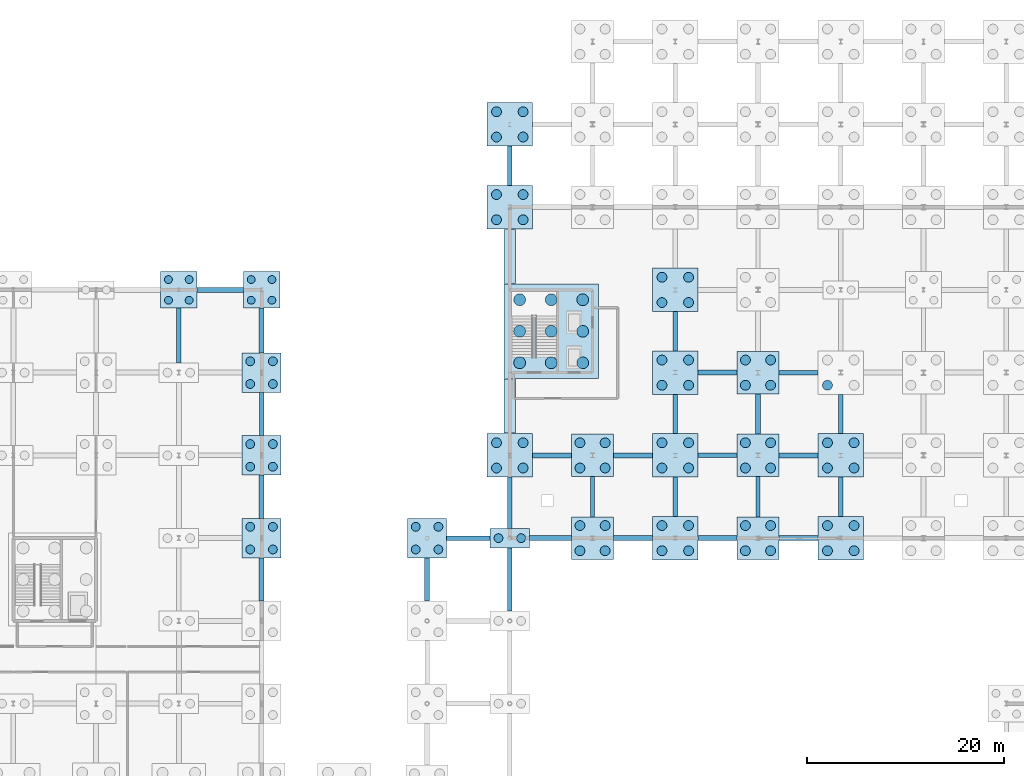
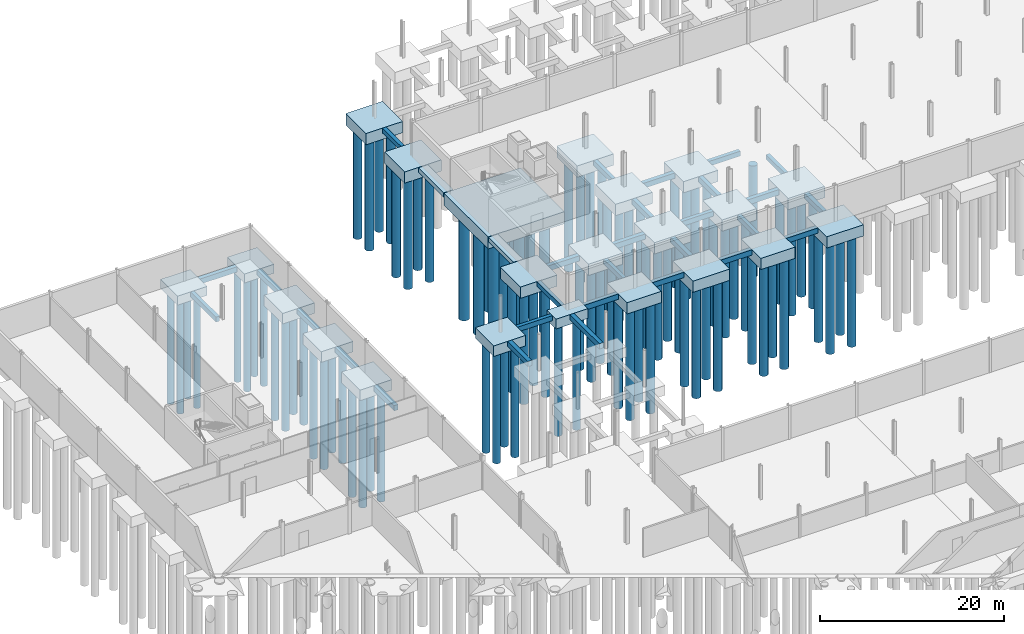
# One storey, part 6 of 51: 92 piles, 53 footings.
"""IFC4 building model written with IfcOpenShell, lengths in metres."""

from ifc_helpers import new_model, si_unit, direction, frame, origin, origin_2d, place, context, subcontext, project, spatial, polyline, rectangle, circle, outline, extrude, material, material_profile, profile_set, type_object, element, save


model = new_model("IFC4")

# Units and contexts
model_context = context("Model", 3, precision=1e-05, world=origin(), true_north=direction((0.0, 1.0)))
body_context = subcontext(model_context, "Body", "Model", "MODEL_VIEW")
ifc_project = project(units=[si_unit("LENGTHUNIT", "METRE"), si_unit("AREAUNIT", "SQUARE_METRE"), si_unit("VOLUMEUNIT", "CUBIC_METRE"), si_unit("PLANEANGLEUNIT", "RADIAN"), si_unit("MASSUNIT", "GRAM", prefix="KILO")], contexts=[model_context])

# Site, building, storey
site_placement = place(None, origin())
site = spatial("IfcSite", under=ifc_project, at=site_placement, CompositionType="ELEMENT")
building_placement = place(site_placement, origin())
building = spatial("IfcBuilding", under=site, at=building_placement, Name="Qalvenar Corner Mobility Hub", CompositionType="ELEMENT")
storey_placement = place(building_placement, frame((0.0, 0.0, -4.5)))
storey = spatial("IfcBuildingStorey", under=building, at=storey_placement, Name="B1", CompositionType="ELEMENT", Elevation=-4.5)

# Footings
ifc_material = material(Name="Concrete C40/50", Category="concrete")
footing_type_1 = type_object("IfcFootingType", Name="PC-28X28X12", PredefinedType="PILE_CAP", material=ifc_material)
for number, where, z_axis, x_axis, name in (
    (1, (25.199951171875, 92.39990234375, -1.5498046875), (0.0, 0.0, 1.0), (1.0, 0.0, 0.0), "Pile Cap G4-11"),
    (2, (33.60009765625, 92.39990234375, -1.5498046875), (0.0, 0.0, 1.0), (1.0, 0.0, 0.0), "Pile Cap G5-11"),
):
    element("IfcFooting", number, at=place(storey_placement, frame(where, z_axis=z_axis, x_axis=x_axis)), inside=storey, type_object=footing_type_1, Name=name, PredefinedType="PILE_CAP", context=body_context, shape_type="SweptSolid", body=[
        extrude(rectangle(XDim=3.699951171875, YDim=3.699951171875, at=origin_2d()), origin(), (0.0, 0.0, 1.0), 1.199951171875),
    ])
footing_type_2 = type_object("IfcFootingType", Name="PC-32X24X13", PredefinedType="PILE_CAP", material=ifc_material)
footing_1_placement = place(storey_placement, frame((58.800048828125, 67.199951171875, -1.64990234375), z_axis=(0.0, 0.0, 1.0), x_axis=(1.0, 0.0, 0.0)))
element("IfcFooting", 3, at=footing_1_placement, inside=storey, type_object=footing_type_2, Name="Pile Cap G8-8", PredefinedType="PILE_CAP", context=body_context, shape_type="SweptSolid", body=[
    extrude(rectangle(XDim=4.0, YDim=2.0, at=origin_2d()), origin(), (0.0, 0.0, 1.0), 1.300048828125),
])
footing_type_3 = type_object("IfcFootingType", Name="PC-34X34X14", PredefinedType="PILE_CAP", material=ifc_material)
for number, where, z_axis, x_axis, name in (
    (4, (33.60009765625, 67.199951171875, -1.75), (0.0, 0.0, 1.0), (1.0, 0.0, 0.0), "Pile Cap G5-8"),
    (5, (33.60009765625, 75.60009765625, -1.75), (0.0, 0.0, 1.0), (1.0, 0.0, 0.0), "Pile Cap G5-9"),
    (6, (33.60009765625, 84.0, -1.75), (0.0, 0.0, 1.0), (1.0, 0.0, 0.0), "Pile Cap G5-10"),
    (7, (50.39990234375, 67.199951171875, -1.75), (0.0, 0.0, 1.0), (1.0, 0.0, 0.0), "Pile Cap G7-8"),
):
    element("IfcFooting", number, at=place(storey_placement, frame(where, z_axis=z_axis, x_axis=x_axis)), inside=storey, type_object=footing_type_3, Name=name, PredefinedType="PILE_CAP", context=body_context, shape_type="SweptSolid", body=[
        extrude(rectangle(XDim=4.0, YDim=4.0, at=origin_2d()), origin(), (0.0, 0.0, 1.0), 1.39990234375),
    ])
footing_type_4 = type_object("IfcFootingType", Name="PC-38X38X15", PredefinedType="PILE_CAP", material=ifc_material)
for number, where, z_axis, x_axis, name in (
    (8, (67.199951171875, 67.199951171875, -1.85009765625), (0.0, 0.0, 1.0), (1.0, 0.0, 0.0), "Pile Cap G9-8"),
    (9, (67.199951171875, 75.60009765625, -1.85009765625), (0.0, 0.0, 1.0), (1.0, 0.0, 0.0), "Pile Cap G9-9"),
    (10, (84.0, 67.199951171875, -1.85009765625), (0.0, 0.0, 1.0), (1.0, 0.0, 0.0), "Pile Cap G11-8"),
    (11, (84.0, 75.60009765625, -1.85009765625), (0.0, 0.0, 1.0), (1.0, 0.0, 0.0), "Pile Cap G11-9"),
    (12, (84.0, 84.0, -1.85009765625), (0.0, 0.0, 1.0), (1.0, 0.0, 0.0), "Pile Cap G11-10"),
):
    element("IfcFooting", number, at=place(storey_placement, frame(where, z_axis=z_axis, x_axis=x_axis)), inside=storey, type_object=footing_type_4, Name=name, PredefinedType="PILE_CAP", context=body_context, shape_type="SweptSolid", body=[
        extrude(rectangle(XDim=4.300048828125, YDim=4.300048828125, at=origin_2d()), origin(), (0.0, 0.0, 1.0), 1.5),
    ])
footing_type_5 = type_object("IfcFootingType", Name="PC-42X32X15", PredefinedType="PILE_CAP", material=ifc_material)
for number, where, z_axis, x_axis, name in (
    (13, (58.800048828125, 75.60009765625, -1.85009765625), (0.0, 0.0, 1.0), (1.0, 0.0, 0.0), "Pile Cap G8-9"),
    (14, (58.800048828125, 100.800048828125, -1.85009765625), (0.0, 0.0, 1.0), (1.0, 0.0, 0.0), "Pile Cap G8-12"),
    (15, (58.800048828125, 109.199951171875, -1.85009765625), (0.0, 0.0, 1.0), (1.0, 0.0, 0.0), "Pile Cap G8-13"),
    (16, (75.60009765625, 67.199951171875, -1.85009765625), (0.0, 0.0, 1.0), (1.0, 0.0, 0.0), "Pile Cap G10-8"),
    (17, (75.60009765625, 75.60009765625, -1.85009765625), (0.0, 0.0, 1.0), (1.0, 0.0, 0.0), "Pile Cap G10-9"),
    (18, (75.60009765625, 84.0, -1.85009765625), (0.0, 0.0, 1.0), (1.0, 0.0, 0.0), "Pile Cap G10-10"),
    (19, (75.60009765625, 92.39990234375, -1.85009765625), (0.0, 0.0, 1.0), (1.0, 0.0, 0.0), "Pile Cap G10-11"),
    (20, (92.39990234375, 67.199951171875, -1.85009765625), (0.0, 0.0, 1.0), (1.0, 0.0, 0.0), "Pile Cap G12-8"),
    (21, (92.39990234375, 75.60009765625, -1.85009765625), (0.0, 0.0, 1.0), (1.0, 0.0, 0.0), "Pile Cap G12-9"),
):
    element("IfcFooting", number, at=place(storey_placement, frame(where, z_axis=z_axis, x_axis=x_axis)), inside=storey, type_object=footing_type_5, Name=name, PredefinedType="PILE_CAP", context=body_context, shape_type="SweptSolid", body=[
        extrude(rectangle(XDim=4.60009765625, YDim=4.39990234375, at=origin_2d()), origin(), (0.0, 0.0, 1.0), 1.5),
    ])
footing_type_6 = type_object("IfcFootingType", Name="PC-96X96X16", PredefinedType="PILE_CAP", material=ifc_material)
footing_2_placement = place(storey_placement, frame((63.0, 88.199951171875, -1.949951171875), z_axis=(0.0, 0.0, 1.0), x_axis=(1.0, 0.0, 0.0)))
element("IfcFooting", 22, at=footing_2_placement, inside=storey, type_object=footing_type_6, Name="Core Pile Cap C3", PredefinedType="PILE_CAP", context=body_context, shape_type="SweptSolid", body=[
    extrude(rectangle(XDim=9.60009765625, YDim=9.60009765625, at=origin_2d()), origin(), (0.0, 0.0, 1.0), 1.60009765625),
])

# Piles
ifc_material_profile_1 = material_profile(ifc_material, circle(Radius=0.5, at=origin_2d()), Name="DIA1000")
ifc_profile_set_1 = profile_set([ifc_material_profile_1], Name="Concrete C40/50")
pile_type_1 = type_object("IfcPileType", Name="PILE-1000", PredefinedType="BORED", material=ifc_profile_set_1)
for number, where, z_axis, x_axis, name in (
    (23, (57.449951171875, 74.320068359375, -1.699951171875), (0.0, 0.0, -1.0), (1.0, 0.0, 0.0), "Bored Pile G8-9-1"),
    (24, (57.449951171875, 76.8798828125, -1.699951171875), (0.0, 0.0, -1.0), (1.0, 0.0, 0.0), "Bored Pile G8-9-2"),
    (25, (60.14990234375, 74.320068359375, -1.699951171875), (0.0, 0.0, -1.0), (1.0, 0.0, 0.0), "Bored Pile G8-9-3"),
    (26, (60.14990234375, 76.8798828125, -1.699951171875), (0.0, 0.0, -1.0), (1.0, 0.0, 0.0), "Bored Pile G8-9-4"),
    (27, (57.449951171875, 99.52001953125, -1.699951171875), (0.0, 0.0, -1.0), (1.0, 0.0, 0.0), "Bored Pile G8-12-1"),
    (28, (57.449951171875, 102.080078125, -1.699951171875), (0.0, 0.0, -1.0), (1.0, 0.0, 0.0), "Bored Pile G8-12-2"),
    (29, (60.14990234375, 99.52001953125, -1.699951171875), (0.0, 0.0, -1.0), (1.0, 0.0, 0.0), "Bored Pile G8-12-3"),
    (30, (60.14990234375, 102.080078125, -1.699951171875), (0.0, 0.0, -1.0), (1.0, 0.0, 0.0), "Bored Pile G8-12-4"),
    (31, (57.449951171875, 107.919921875, -1.699951171875), (0.0, 0.0, -1.0), (1.0, 0.0, 0.0), "Bored Pile G8-13-1"),
    (32, (57.449951171875, 110.47998046875, -1.699951171875), (0.0, 0.0, -1.0), (1.0, 0.0, 0.0), "Bored Pile G8-13-2"),
    (33, (60.14990234375, 107.919921875, -1.699951171875), (0.0, 0.0, -1.0), (1.0, 0.0, 0.0), "Bored Pile G8-13-3"),
    (34, (60.14990234375, 110.47998046875, -1.699951171875), (0.0, 0.0, -1.0), (1.0, 0.0, 0.0), "Bored Pile G8-13-4"),
    (35, (65.919921875, 65.919921875, -1.699951171875), (0.0, 0.0, -1.0), (1.0, 0.0, 0.0), "Bored Pile G9-8-1"),
    (36, (65.919921875, 68.47998046875, -1.699951171875), (0.0, 0.0, -1.0), (1.0, 0.0, 0.0), "Bored Pile G9-8-2"),
    (37, (68.47998046875, 65.919921875, -1.699951171875), (0.0, 0.0, -1.0), (1.0, 0.0, 0.0), "Bored Pile G9-8-3"),
    (38, (68.47998046875, 68.47998046875, -1.699951171875), (0.0, 0.0, -1.0), (1.0, 0.0, 0.0), "Bored Pile G9-8-4"),
    (39, (65.919921875, 74.320068359375, -1.699951171875), (0.0, 0.0, -1.0), (1.0, 0.0, 0.0), "Bored Pile G9-9-1"),
    (40, (65.919921875, 76.8798828125, -1.699951171875), (0.0, 0.0, -1.0), (1.0, 0.0, 0.0), "Bored Pile G9-9-2"),
    (41, (68.47998046875, 74.320068359375, -1.699951171875), (0.0, 0.0, -1.0), (1.0, 0.0, 0.0), "Bored Pile G9-9-3"),
    (42, (68.47998046875, 76.8798828125, -1.699951171875), (0.0, 0.0, -1.0), (1.0, 0.0, 0.0), "Bored Pile G9-9-4"),
    (43, (74.25, 65.919921875, -1.699951171875), (0.0, 0.0, -1.0), (1.0, 0.0, 0.0), "Bored Pile G10-8-1"),
    (44, (74.25, 68.47998046875, -1.699951171875), (0.0, 0.0, -1.0), (1.0, 0.0, 0.0), "Bored Pile G10-8-2"),
    (45, (76.949951171875, 65.919921875, -1.699951171875), (0.0, 0.0, -1.0), (1.0, 0.0, 0.0), "Bored Pile G10-8-3"),
    (46, (76.949951171875, 68.47998046875, -1.699951171875), (0.0, 0.0, -1.0), (1.0, 0.0, 0.0), "Bored Pile G10-8-4"),
    (47, (74.25, 74.320068359375, -1.699951171875), (0.0, 0.0, -1.0), (1.0, 0.0, 0.0), "Bored Pile G10-9-1"),
    (48, (74.25, 76.8798828125, -1.699951171875), (0.0, 0.0, -1.0), (1.0, 0.0, 0.0), "Bored Pile G10-9-2"),
    (49, (76.949951171875, 74.320068359375, -1.699951171875), (0.0, 0.0, -1.0), (1.0, 0.0, 0.0), "Bored Pile G10-9-3"),
    (50, (76.949951171875, 76.8798828125, -1.699951171875), (0.0, 0.0, -1.0), (1.0, 0.0, 0.0), "Bored Pile G10-9-4"),
    (51, (74.25, 82.719970703125, -1.699951171875), (0.0, 0.0, -1.0), (1.0, 0.0, 0.0), "Bored Pile G10-10-1"),
    (52, (74.25, 85.280029296875, -1.699951171875), (0.0, 0.0, -1.0), (1.0, 0.0, 0.0), "Bored Pile G10-10-2"),
    (53, (76.949951171875, 82.719970703125, -1.699951171875), (0.0, 0.0, -1.0), (1.0, 0.0, 0.0), "Bored Pile G10-10-3"),
    (54, (76.949951171875, 85.280029296875, -1.699951171875), (0.0, 0.0, -1.0), (1.0, 0.0, 0.0), "Bored Pile G10-10-4"),
    (55, (74.25, 91.1201171875, -1.699951171875), (0.0, 0.0, -1.0), (1.0, 0.0, 0.0), "Bored Pile G10-11-1"),
    (56, (74.25, 93.679931640625, -1.699951171875), (0.0, 0.0, -1.0), (1.0, 0.0, 0.0), "Bored Pile G10-11-2"),
    (57, (76.949951171875, 91.1201171875, -1.699951171875), (0.0, 0.0, -1.0), (1.0, 0.0, 0.0), "Bored Pile G10-11-3"),
    (58, (76.949951171875, 93.679931640625, -1.699951171875), (0.0, 0.0, -1.0), (1.0, 0.0, 0.0), "Bored Pile G10-11-4"),
    (59, (82.719970703125, 65.919921875, -1.699951171875), (0.0, 0.0, -1.0), (1.0, 0.0, 0.0), "Bored Pile G11-8-1"),
    (60, (82.719970703125, 68.47998046875, -1.699951171875), (0.0, 0.0, -1.0), (1.0, 0.0, 0.0), "Bored Pile G11-8-2"),
    (61, (85.280029296875, 65.919921875, -1.699951171875), (0.0, 0.0, -1.0), (1.0, 0.0, 0.0), "Bored Pile G11-8-3"),
    (62, (85.280029296875, 68.47998046875, -1.699951171875), (0.0, 0.0, -1.0), (1.0, 0.0, 0.0), "Bored Pile G11-8-4"),
    (63, (82.719970703125, 74.320068359375, -1.699951171875), (0.0, 0.0, -1.0), (1.0, 0.0, 0.0), "Bored Pile G11-9-1"),
    (64, (82.719970703125, 76.8798828125, -1.699951171875), (0.0, 0.0, -1.0), (1.0, 0.0, 0.0), "Bored Pile G11-9-2"),
    (65, (85.280029296875, 74.320068359375, -1.699951171875), (0.0, 0.0, -1.0), (1.0, 0.0, 0.0), "Bored Pile G11-9-3"),
    (66, (85.280029296875, 76.8798828125, -1.699951171875), (0.0, 0.0, -1.0), (1.0, 0.0, 0.0), "Bored Pile G11-9-4"),
    (67, (82.719970703125, 82.719970703125, -1.699951171875), (0.0, 0.0, -1.0), (1.0, 0.0, 0.0), "Bored Pile G11-10-1"),
    (68, (82.719970703125, 85.280029296875, -1.699951171875), (0.0, 0.0, -1.0), (1.0, 0.0, 0.0), "Bored Pile G11-10-2"),
    (69, (85.280029296875, 82.719970703125, -1.699951171875), (0.0, 0.0, -1.0), (1.0, 0.0, 0.0), "Bored Pile G11-10-3"),
    (70, (85.280029296875, 85.280029296875, -1.699951171875), (0.0, 0.0, -1.0), (1.0, 0.0, 0.0), "Bored Pile G11-10-4"),
    (71, (91.050048828125, 65.919921875, -1.699951171875), (0.0, 0.0, -1.0), (1.0, 0.0, 0.0), "Bored Pile G12-8-1"),
    (72, (91.050048828125, 68.47998046875, -1.699951171875), (0.0, 0.0, -1.0), (1.0, 0.0, 0.0), "Bored Pile G12-8-2"),
    (73, (93.75, 65.919921875, -1.699951171875), (0.0, 0.0, -1.0), (1.0, 0.0, 0.0), "Bored Pile G12-8-3"),
    (74, (93.75, 68.47998046875, -1.699951171875), (0.0, 0.0, -1.0), (1.0, 0.0, 0.0), "Bored Pile G12-8-4"),
    (75, (91.050048828125, 74.320068359375, -1.699951171875), (0.0, 0.0, -1.0), (1.0, 0.0, 0.0), "Bored Pile G12-9-1"),
    (76, (91.050048828125, 76.8798828125, -1.699951171875), (0.0, 0.0, -1.0), (1.0, 0.0, 0.0), "Bored Pile G12-9-2"),
    (77, (93.75, 74.320068359375, -1.699951171875), (0.0, 0.0, -1.0), (1.0, 0.0, 0.0), "Bored Pile G12-9-3"),
    (78, (93.75, 76.8798828125, -1.699951171875), (0.0, 0.0, -1.0), (1.0, 0.0, 0.0), "Bored Pile G12-9-4"),
    (79, (91.050048828125, 82.719970703125, -1.699951171875), (0.0, 0.0, -1.0), (1.0, 0.0, 0.0), "Bored Pile G12-10-1"),
):
    element("IfcPile", number, at=place(storey_placement, frame(where, z_axis=z_axis, x_axis=x_axis)), inside=storey, type_object=pile_type_1, Name=name, PredefinedType="BORED", context=body_context, shape_type="SweptSolid", body=[
        extrude(circle(Radius=0.5, at=origin_2d()), origin(), (0.0, 0.0, 1.0), 14.800048828125),
    ])
ifc_material_profile_2 = material_profile(ifc_material, circle(Radius=0.60009765625, at=origin_2d()), Name="DIA1200")
ifc_profile_set_2 = profile_set([ifc_material_profile_2], Name="Concrete C40/50")
pile_type_2 = type_object("IfcPileType", Name="PILE-1200", PredefinedType="BORED", material=ifc_profile_set_2)
for number, where, z_axis, x_axis, name in (
    (80, (59.800048828125, 85.0, -1.800048828125), (0.0, 0.0, -1.0), (1.0, 0.0, 0.0), "Bored Pile C3-01"),
    (81, (59.800048828125, 88.199951171875, -1.800048828125), (0.0, 0.0, -1.0), (1.0, 0.0, 0.0), "Bored Pile C3-02"),
    (82, (59.800048828125, 91.39990234375, -1.800048828125), (0.0, 0.0, -1.0), (1.0, 0.0, 0.0), "Bored Pile C3-03"),
    (83, (63.0, 85.0, -1.800048828125), (0.0, 0.0, -1.0), (1.0, 0.0, 0.0), "Bored Pile C3-04"),
    (84, (63.0, 88.199951171875, -1.800048828125), (0.0, 0.0, -1.0), (1.0, 0.0, 0.0), "Bored Pile C3-05"),
    (85, (63.0, 91.39990234375, -1.800048828125), (0.0, 0.0, -1.0), (1.0, 0.0, 0.0), "Bored Pile C3-06"),
    (86, (66.199951171875, 85.0, -1.800048828125), (0.0, 0.0, -1.0), (1.0, 0.0, 0.0), "Bored Pile C3-07"),
    (87, (66.199951171875, 88.199951171875, -1.800048828125), (0.0, 0.0, -1.0), (1.0, 0.0, 0.0), "Bored Pile C3-08"),
    (88, (66.199951171875, 91.39990234375, -1.800048828125), (0.0, 0.0, -1.0), (1.0, 0.0, 0.0), "Bored Pile C3-09"),
):
    element("IfcPile", number, at=place(storey_placement, frame(where, z_axis=z_axis, x_axis=x_axis)), inside=storey, type_object=pile_type_2, Name=name, PredefinedType="BORED", context=body_context, shape_type="SweptSolid", body=[
        extrude(circle(Radius=0.60009765625, at=origin_2d()), origin(), (0.0, 0.0, 1.0), 14.699951171875),
    ])
ifc_material_profile_3 = material_profile(ifc_material, circle(Radius=0.39990234375, at=origin_2d()), Name="DIA800")
ifc_profile_set_3 = profile_set([ifc_material_profile_3], Name="Concrete C40/50")
pile_type_3 = type_object("IfcPileType", Name="PILE-800", PredefinedType="BORED", material=ifc_profile_set_3)
for number, where, z_axis, x_axis, name in (
    (89, (24.14990234375, 91.35009765625, -1.39990234375), (0.0, 0.0, -1.0), (1.0, 0.0, 0.0), "Bored Pile G4-11-1"),
    (90, (24.14990234375, 93.449951171875, -1.39990234375), (0.0, 0.0, -1.0), (1.0, 0.0, 0.0), "Bored Pile G4-11-2"),
    (91, (26.25, 91.35009765625, -1.39990234375), (0.0, 0.0, -1.0), (1.0, 0.0, 0.0), "Bored Pile G4-11-3"),
    (92, (26.25, 93.449951171875, -1.39990234375), (0.0, 0.0, -1.0), (1.0, 0.0, 0.0), "Bored Pile G4-11-4"),
    (93, (32.550048828125, 91.35009765625, -1.39990234375), (0.0, 0.0, -1.0), (1.0, 0.0, 0.0), "Bored Pile G5-11-1"),
    (94, (32.550048828125, 93.449951171875, -1.39990234375), (0.0, 0.0, -1.0), (1.0, 0.0, 0.0), "Bored Pile G5-11-2"),
    (95, (34.64990234375, 91.35009765625, -1.39990234375), (0.0, 0.0, -1.0), (1.0, 0.0, 0.0), "Bored Pile G5-11-3"),
    (96, (34.64990234375, 93.449951171875, -1.39990234375), (0.0, 0.0, -1.0), (1.0, 0.0, 0.0), "Bored Pile G5-11-4"),
):
    element("IfcPile", number, at=place(storey_placement, frame(where, z_axis=z_axis, x_axis=x_axis)), inside=storey, type_object=pile_type_3, Name=name, PredefinedType="BORED", context=body_context, shape_type="SweptSolid", body=[
        extrude(circle(Radius=0.39990234375, at=origin_2d()), origin(), (0.0, 0.0, 1.0), 15.10009765625),
    ])
ifc_material_profile_4 = material_profile(ifc_material, circle(Radius=0.449951171875, at=origin_2d()), Name="DIA900")
ifc_profile_set_4 = profile_set([ifc_material_profile_4], Name="Concrete C40/50")
pile_type_4 = type_object("IfcPileType", Name="PILE-900", PredefinedType="BORED", material=ifc_profile_set_4)
for number, where, z_axis, x_axis, name in (
    (97, (32.449951171875, 66.050048828125, -1.60009765625), (0.0, 0.0, -1.0), (1.0, 0.0, 0.0), "Bored Pile G5-8-1"),
    (98, (32.449951171875, 68.35009765625, -1.60009765625), (0.0, 0.0, -1.0), (1.0, 0.0, 0.0), "Bored Pile G5-8-2"),
    (99, (34.75, 66.050048828125, -1.60009765625), (0.0, 0.0, -1.0), (1.0, 0.0, 0.0), "Bored Pile G5-8-3"),
    (100, (34.75, 68.35009765625, -1.60009765625), (0.0, 0.0, -1.0), (1.0, 0.0, 0.0), "Bored Pile G5-8-4"),
    (101, (32.449951171875, 74.449951171875, -1.60009765625), (0.0, 0.0, -1.0), (1.0, 0.0, 0.0), "Bored Pile G5-9-1"),
    (102, (32.449951171875, 76.75, -1.60009765625), (0.0, 0.0, -1.0), (1.0, 0.0, 0.0), "Bored Pile G5-9-2"),
    (103, (34.75, 74.449951171875, -1.60009765625), (0.0, 0.0, -1.0), (1.0, 0.0, 0.0), "Bored Pile G5-9-3"),
    (104, (34.75, 76.75, -1.60009765625), (0.0, 0.0, -1.0), (1.0, 0.0, 0.0), "Bored Pile G5-9-4"),
    (105, (32.449951171875, 82.85009765625, -1.60009765625), (0.0, 0.0, -1.0), (1.0, 0.0, 0.0), "Bored Pile G5-10-1"),
    (106, (32.449951171875, 85.14990234375, -1.60009765625), (0.0, 0.0, -1.0), (1.0, 0.0, 0.0), "Bored Pile G5-10-2"),
    (107, (34.75, 82.85009765625, -1.60009765625), (0.0, 0.0, -1.0), (1.0, 0.0, 0.0), "Bored Pile G5-10-3"),
    (108, (34.75, 85.14990234375, -1.60009765625), (0.0, 0.0, -1.0), (1.0, 0.0, 0.0), "Bored Pile G5-10-4"),
    (109, (49.25, 66.050048828125, -1.60009765625), (0.0, 0.0, -1.0), (1.0, 0.0, 0.0), "Bored Pile G7-8-1"),
    (110, (49.25, 68.35009765625, -1.60009765625), (0.0, 0.0, -1.0), (1.0, 0.0, 0.0), "Bored Pile G7-8-2"),
    (111, (51.550048828125, 66.050048828125, -1.60009765625), (0.0, 0.0, -1.0), (1.0, 0.0, 0.0), "Bored Pile G7-8-3"),
    (112, (51.550048828125, 68.35009765625, -1.60009765625), (0.0, 0.0, -1.0), (1.0, 0.0, 0.0), "Bored Pile G7-8-4"),
):
    element("IfcPile", number, at=place(storey_placement, frame(where, z_axis=z_axis, x_axis=x_axis)), inside=storey, type_object=pile_type_4, Name=name, PredefinedType="BORED", context=body_context, shape_type="SweptSolid", body=[
        extrude(circle(Radius=0.449951171875, at=origin_2d()), origin(), (0.0, 0.0, 1.0), 14.89990234375),
    ])
for number, where, z_axis, x_axis, name in (
    (113, (57.64990234375, 67.199951171875, -1.5), (0.0, 0.0, -1.0), (1.0, 0.0, 0.0), "Bored Pile G8-8-1"),
    (114, (59.949951171875, 67.199951171875, -1.5), (0.0, 0.0, -1.0), (1.0, 0.0, 0.0), "Bored Pile G8-8-2"),
):
    element("IfcPile", number, at=place(storey_placement, frame(where, z_axis=z_axis, x_axis=x_axis)), inside=storey, type_object=pile_type_4, Name=name, PredefinedType="BORED", context=body_context, shape_type="SweptSolid", body=[
        extrude(circle(Radius=0.449951171875, at=origin_2d()), origin(), (0.0, 0.0, 1.0), 15.0),
    ])

# Footings
ifc_material_profile_5 = material_profile(ifc_material, rectangle(XDim=1.199951171875, YDim=0.60009765625, at=origin_2d()), Name="RC1200x600")
ifc_profile_set_5 = profile_set([ifc_material_profile_5], Name="Concrete C40/50")
footing_type_7 = type_object("IfcFootingType", Name="SF-1200X600", PredefinedType="STRIP_FOOTING", material=ifc_profile_set_5)
footing_3_placement = place(storey_placement, frame((0.0, 0.0, -0.949951171875)))
element("IfcFooting", 115, at=footing_3_placement, inside=storey, type_object=footing_type_7, Name="Retaining Wall Strip Footing SF-V4W-1", PredefinedType="STRIP_FOOTING", context=body_context, shape_type="SweptSolid", body=[
    extrude(outline(polyline([(58.199951171875, 77.85009765625), (59.39990234375, 77.85009765625), (59.39990234375, 83.35009765625), (58.199951171875, 83.35009765625), (58.199951171875, 77.85009765625)])), origin(), (0.0, 0.0, 1.0), 0.599853515625),
])
footing_4_placement = place(storey_placement, frame((0.0, 0.0, -0.949951171875)))
element("IfcFooting", 116, at=footing_4_placement, inside=storey, type_object=footing_type_7, Name="Retaining Wall Strip Footing SF-V4W-2", PredefinedType="STRIP_FOOTING", context=body_context, shape_type="SweptSolid", body=[
    extrude(outline(polyline([(58.199951171875, 93.050048828125), (59.39990234375, 93.050048828125), (59.39990234375, 98.550048828125), (58.199951171875, 98.550048828125), (58.199951171875, 93.050048828125)])), origin(), (0.0, 0.0, 1.0), 0.599853515625),
])
ifc_material_profile_6 = material_profile(ifc_material, rectangle(XDim=0.449951171875, YDim=0.64990234375, at=origin_2d()), Name="RC450x650")
ifc_profile_set_6 = profile_set([ifc_material_profile_6], Name="Concrete C40/50")
footing_type_8 = type_object("IfcFootingType", Name="TB-450X650", PredefinedType="FOOTING_BEAM", material=ifc_profile_set_6)
footing_5_placement = place(storey_placement, frame((25.199951171875, 85.0, -0.675048828125), z_axis=(0.0, 1.0, 0.0), x_axis=(-1.0, 0.0, 0.0)))
element("IfcFooting", 117, at=footing_5_placement, inside=storey, type_object=footing_type_8, Name="Foundation Tie Beam TB-063", PredefinedType="FOOTING_BEAM", context=body_context, shape_type="SweptSolid", body=[
    extrude(rectangle(XDim=0.449951171875, YDim=0.64990234375, at=origin_2d()), origin(), (0.0, 0.0, 1.0), 5.550048828125),
])
footing_6_placement = place(storey_placement, frame((33.60009765625, 77.60009765625, -0.675048828125), z_axis=(0.0, 1.0, 0.0), x_axis=(-1.0, 0.0, 0.0)))
element("IfcFooting", 118, at=footing_6_placement, inside=storey, type_object=footing_type_8, Name="Foundation Tie Beam TB-075", PredefinedType="FOOTING_BEAM", context=body_context, shape_type="SweptSolid", body=[
    extrude(rectangle(XDim=0.449951171875, YDim=0.64990234375, at=origin_2d()), origin(), (0.0, 0.0, 1.0), 4.39990234375),
])
footing_7_placement = place(storey_placement, frame((52.39990234375, 67.199951171875, -0.675048828125), z_axis=(1.0, 0.0, 0.0), x_axis=(0.0, 1.0, 0.0)))
element("IfcFooting", 119, at=footing_7_placement, inside=storey, type_object=footing_type_8, Name="Foundation Tie Beam TB-099", PredefinedType="FOOTING_BEAM", context=body_context, shape_type="SweptSolid", body=[
    extrude(rectangle(XDim=0.449951171875, YDim=0.64990234375, at=origin_2d()), origin(), (0.0, 0.0, 1.0), 4.400146484375),
])
footing_8_placement = place(storey_placement, frame((58.800048828125, 68.199951171875, -0.675048828125), z_axis=(0.0, 1.0, 0.0), x_axis=(-1.0, 0.0, 0.0)))
element("IfcFooting", 120, at=footing_8_placement, inside=storey, type_object=footing_type_8, Name="Foundation Tie Beam TB-114", PredefinedType="FOOTING_BEAM", context=body_context, shape_type="SweptSolid", body=[
    extrude(rectangle(XDim=0.449951171875, YDim=0.64990234375, at=origin_2d()), origin(), (0.0, 0.0, 1.0), 5.199951171875),
])
footing_9_placement = place(storey_placement, frame((58.800048828125, 103.0, -0.675048828125), z_axis=(0.0, 1.0, 0.0), x_axis=(-1.0, 0.0, 0.0)))
element("IfcFooting", 121, at=footing_9_placement, inside=storey, type_object=footing_type_8, Name="Foundation Tie Beam TB-117", PredefinedType="FOOTING_BEAM", context=body_context, shape_type="SweptSolid", body=[
    extrude(rectangle(XDim=0.449951171875, YDim=0.64990234375, at=origin_2d()), origin(), (0.0, 0.0, 1.0), 4.0),
])
footing_10_placement = place(storey_placement, frame((67.199951171875, 69.35009765625, -0.675048828125), z_axis=(0.0, 1.0, 0.0), x_axis=(-1.0, 0.0, 0.0)))
element("IfcFooting", 122, at=footing_10_placement, inside=storey, type_object=footing_type_8, Name="Foundation Tie Beam TB-129", PredefinedType="FOOTING_BEAM", context=body_context, shape_type="SweptSolid", body=[
    extrude(rectangle(XDim=0.449951171875, YDim=0.64990234375, at=origin_2d()), origin(), (0.0, 0.0, 1.0), 4.099853515625),
])
footing_11_placement = place(storey_placement, frame((77.89990234375, 75.60009765625, -0.675048828125), z_axis=(1.0, 0.0, 0.0), x_axis=(0.0, 1.0, 0.0)))
element("IfcFooting", 123, at=footing_11_placement, inside=storey, type_object=footing_type_8, Name="Foundation Tie Beam TB-147", PredefinedType="FOOTING_BEAM", context=body_context, shape_type="SweptSolid", body=[
    extrude(rectangle(XDim=0.449951171875, YDim=0.64990234375, at=origin_2d()), origin(), (0.0, 0.0, 1.0), 3.9501953125),
])
footing_12_placement = place(storey_placement, frame((75.60009765625, 86.199951171875, -0.675048828125), z_axis=(0.0, 1.0, 0.0), x_axis=(-1.0, 0.0, 0.0)))
element("IfcFooting", 124, at=footing_12_placement, inside=storey, type_object=footing_type_8, Name="Foundation Tie Beam TB-150", PredefinedType="FOOTING_BEAM", context=body_context, shape_type="SweptSolid", body=[
    extrude(rectangle(XDim=0.449951171875, YDim=0.64990234375, at=origin_2d()), origin(), (0.0, 0.0, 1.0), 4.0),
])
footing_13_placement = place(storey_placement, frame((84.0, 69.35009765625, -0.675048828125), z_axis=(0.0, 1.0, 0.0), x_axis=(-1.0, 0.0, 0.0)))
element("IfcFooting", 125, at=footing_13_placement, inside=storey, type_object=footing_type_8, Name="Foundation Tie Beam TB-168", PredefinedType="FOOTING_BEAM", context=body_context, shape_type="SweptSolid", body=[
    extrude(rectangle(XDim=0.449951171875, YDim=0.64990234375, at=origin_2d()), origin(), (0.0, 0.0, 1.0), 4.099853515625),
])
footing_14_placement = place(storey_placement, frame((86.14990234375, 84.0, -0.675048828125), z_axis=(1.0, 0.0, 0.0), x_axis=(0.0, 1.0, 0.0)))
element("IfcFooting", 126, at=footing_14_placement, inside=storey, type_object=footing_type_8, Name="Foundation Tie Beam TB-171", PredefinedType="FOOTING_BEAM", context=body_context, shape_type="SweptSolid", body=[
    extrude(rectangle(XDim=0.449951171875, YDim=0.64990234375, at=origin_2d()), origin(), (0.0, 0.0, 1.0), 3.9501953125),
])
footing_15_placement = place(storey_placement, frame((92.39990234375, 77.800048828125, -0.675048828125), z_axis=(0.0, 1.0, 0.0), x_axis=(-1.0, 0.0, 0.0)))
element("IfcFooting", 127, at=footing_15_placement, inside=storey, type_object=footing_type_8, Name="Foundation Tie Beam TB-192", PredefinedType="FOOTING_BEAM", context=body_context, shape_type="SweptSolid", body=[
    extrude(rectangle(XDim=0.449951171875, YDim=0.64990234375, at=origin_2d()), origin(), (0.0, 0.0, 1.0), 4.0),
])
ifc_material_profile_7 = material_profile(ifc_material, rectangle(XDim=0.5, YDim=0.699951171875, at=origin_2d()), Name="RC500x700")
ifc_profile_set_7 = profile_set([ifc_material_profile_7], Name="Concrete C40/50")
footing_type_9 = type_object("IfcFootingType", Name="TB-500X700", PredefinedType="FOOTING_BEAM", material=ifc_profile_set_7)
footing_16_placement = place(storey_placement, frame((27.050048828125, 92.39990234375, -0.699951171875), z_axis=(1.0, 0.0, 0.0), x_axis=(0.0, 1.0, 0.0)))
element("IfcFooting", 128, at=footing_16_placement, inside=storey, type_object=footing_type_9, Name="Foundation Tie Beam TB-064", PredefinedType="FOOTING_BEAM", context=body_context, shape_type="SweptSolid", body=[
    extrude(rectangle(XDim=0.5, YDim=0.699951171875, at=origin_2d()), origin(), (0.0, 0.0, 1.0), 4.699951171875),
])
footing_17_placement = place(storey_placement, frame((33.60009765625, 60.800048828125, -0.699951171875), z_axis=(0.0, 1.0, 0.0), x_axis=(-1.0, 0.0, 0.0)))
element("IfcFooting", 129, at=footing_17_placement, inside=storey, type_object=footing_type_9, Name="Foundation Tie Beam TB-073", PredefinedType="FOOTING_BEAM", context=body_context, shape_type="SweptSolid", body=[
    extrude(rectangle(XDim=0.5, YDim=0.699951171875, at=origin_2d()), origin(), (0.0, 0.0, 1.0), 4.39990234375),
])
footing_18_placement = place(storey_placement, frame((33.60009765625, 69.199951171875, -0.699951171875), z_axis=(0.0, 1.0, 0.0), x_axis=(-1.0, 0.0, 0.0)))
element("IfcFooting", 130, at=footing_18_placement, inside=storey, type_object=footing_type_9, Name="Foundation Tie Beam TB-074", PredefinedType="FOOTING_BEAM", context=body_context, shape_type="SweptSolid", body=[
    extrude(rectangle(XDim=0.5, YDim=0.699951171875, at=origin_2d()), origin(), (0.0, 0.0, 1.0), 4.400146484375),
])
footing_19_placement = place(storey_placement, frame((33.60009765625, 86.0, -0.699951171875), z_axis=(0.0, 1.0, 0.0), x_axis=(-1.0, 0.0, 0.0)))
element("IfcFooting", 131, at=footing_19_placement, inside=storey, type_object=footing_type_9, Name="Foundation Tie Beam TB-076", PredefinedType="FOOTING_BEAM", context=body_context, shape_type="SweptSolid", body=[
    extrude(rectangle(XDim=0.5, YDim=0.699951171875, at=origin_2d()), origin(), (0.0, 0.0, 1.0), 4.550048828125),
])
footing_20_placement = place(storey_placement, frame((50.39990234375, 60.800048828125, -0.699951171875), z_axis=(0.0, 1.0, 0.0), x_axis=(-1.0, 0.0, 0.0)))
element("IfcFooting", 132, at=footing_20_placement, inside=storey, type_object=footing_type_9, Name="Foundation Tie Beam TB-098", PredefinedType="FOOTING_BEAM", context=body_context, shape_type="SweptSolid", body=[
    extrude(rectangle(XDim=0.5, YDim=0.699951171875, at=origin_2d()), origin(), (0.0, 0.0, 1.0), 4.39990234375),
])
footing_21_placement = place(storey_placement, frame((58.800048828125, 59.800048828125, -0.699951171875), z_axis=(0.0, 1.0, 0.0), x_axis=(-1.0, 0.0, 0.0)))
element("IfcFooting", 133, at=footing_21_placement, inside=storey, type_object=footing_type_9, Name="Foundation Tie Beam TB-112", PredefinedType="FOOTING_BEAM", context=body_context, shape_type="SweptSolid", body=[
    extrude(rectangle(XDim=0.5, YDim=0.699951171875, at=origin_2d()), origin(), (0.0, 0.0, 1.0), 6.39990234375),
])
footing_22_placement = place(storey_placement, frame((60.800048828125, 67.199951171875, -0.699951171875), z_axis=(1.0, 0.0, 0.0), x_axis=(0.0, 1.0, 0.0)))
element("IfcFooting", 134, at=footing_22_placement, inside=storey, type_object=footing_type_9, Name="Foundation Tie Beam TB-113", PredefinedType="FOOTING_BEAM", context=body_context, shape_type="SweptSolid", body=[
    extrude(rectangle(XDim=0.5, YDim=0.699951171875, at=origin_2d()), origin(), (0.0, 0.0, 1.0), 4.25),
])
for number, where, z_axis, x_axis, name in (
    (135, (61.10009765625, 75.60009765625, -0.699951171875), (1.0, 0.0, 0.0), (0.0, 1.0, 0.0), "Foundation Tie Beam TB-115"),
    (136, (69.35009765625, 67.199951171875, -0.699951171875), (1.0, 0.0, 0.0), (0.0, 1.0, 0.0), "Foundation Tie Beam TB-128"),
    (137, (69.35009765625, 75.60009765625, -0.699951171875), (1.0, 0.0, 0.0), (0.0, 1.0, 0.0), "Foundation Tie Beam TB-130"),
):
    element("IfcFooting", number, at=place(storey_placement, frame(where, z_axis=z_axis, x_axis=x_axis)), inside=storey, type_object=footing_type_9, Name=name, PredefinedType="FOOTING_BEAM", context=body_context, shape_type="SweptSolid", body=[
        extrude(rectangle(XDim=0.5, YDim=0.699951171875, at=origin_2d()), origin(), (0.0, 0.0, 1.0), 3.949951171875),
    ])
footing_23_placement = place(storey_placement, frame((77.89990234375, 67.199951171875, -0.699951171875), z_axis=(1.0, 0.0, 0.0), x_axis=(0.0, 1.0, 0.0)))
element("IfcFooting", 138, at=footing_23_placement, inside=storey, type_object=footing_type_9, Name="Foundation Tie Beam TB-145", PredefinedType="FOOTING_BEAM", context=body_context, shape_type="SweptSolid", body=[
    extrude(rectangle(XDim=0.5, YDim=0.699951171875, at=origin_2d()), origin(), (0.0, 0.0, 1.0), 3.9501953125),
])
for number, where, z_axis, x_axis, name in (
    (139, (75.60009765625, 69.39990234375, -0.699951171875), (0.0, 1.0, 0.0), (-1.0, 0.0, 0.0), "Foundation Tie Beam TB-146"),
    (140, (75.60009765625, 77.800048828125, -0.699951171875), (0.0, 1.0, 0.0), (-1.0, 0.0, 0.0), "Foundation Tie Beam TB-148"),
):
    element("IfcFooting", number, at=place(storey_placement, frame(where, z_axis=z_axis, x_axis=x_axis)), inside=storey, type_object=footing_type_9, Name=name, PredefinedType="FOOTING_BEAM", context=body_context, shape_type="SweptSolid", body=[
        extrude(rectangle(XDim=0.5, YDim=0.699951171875, at=origin_2d()), origin(), (0.0, 0.0, 1.0), 4.0),
    ])
for number, where, z_axis, x_axis, name in (
    (141, (77.89990234375, 84.0, -0.699951171875), (1.0, 0.0, 0.0), (0.0, 1.0, 0.0), "Foundation Tie Beam TB-149"),
    (142, (86.14990234375, 67.199951171875, -0.699951171875), (1.0, 0.0, 0.0), (0.0, 1.0, 0.0), "Foundation Tie Beam TB-167"),
    (143, (86.14990234375, 75.60009765625, -0.699951171875), (1.0, 0.0, 0.0), (0.0, 1.0, 0.0), "Foundation Tie Beam TB-169"),
):
    element("IfcFooting", number, at=place(storey_placement, frame(where, z_axis=z_axis, x_axis=x_axis)), inside=storey, type_object=footing_type_9, Name=name, PredefinedType="FOOTING_BEAM", context=body_context, shape_type="SweptSolid", body=[
        extrude(rectangle(XDim=0.5, YDim=0.699951171875, at=origin_2d()), origin(), (0.0, 0.0, 1.0), 3.9501953125),
    ])
footing_24_placement = place(storey_placement, frame((84.0, 77.75, -0.699951171875), z_axis=(0.0, 1.0, 0.0), x_axis=(-1.0, 0.0, 0.0)))
element("IfcFooting", 144, at=footing_24_placement, inside=storey, type_object=footing_type_9, Name="Foundation Tie Beam TB-170", PredefinedType="FOOTING_BEAM", context=body_context, shape_type="SweptSolid", body=[
    extrude(rectangle(XDim=0.5, YDim=0.699951171875, at=origin_2d()), origin(), (0.0, 0.0, 1.0), 4.10009765625),
])
footing_25_placement = place(storey_placement, frame((92.39990234375, 69.39990234375, -0.699951171875), z_axis=(0.0, 1.0, 0.0), x_axis=(-1.0, 0.0, 0.0)))
element("IfcFooting", 145, at=footing_25_placement, inside=storey, type_object=footing_type_9, Name="Foundation Tie Beam TB-190", PredefinedType="FOOTING_BEAM", context=body_context, shape_type="SweptSolid", body=[
    extrude(rectangle(XDim=0.5, YDim=0.699951171875, at=origin_2d()), origin(), (0.0, 0.0, 1.0), 4.0),
])

save(model, "model.ifc")
